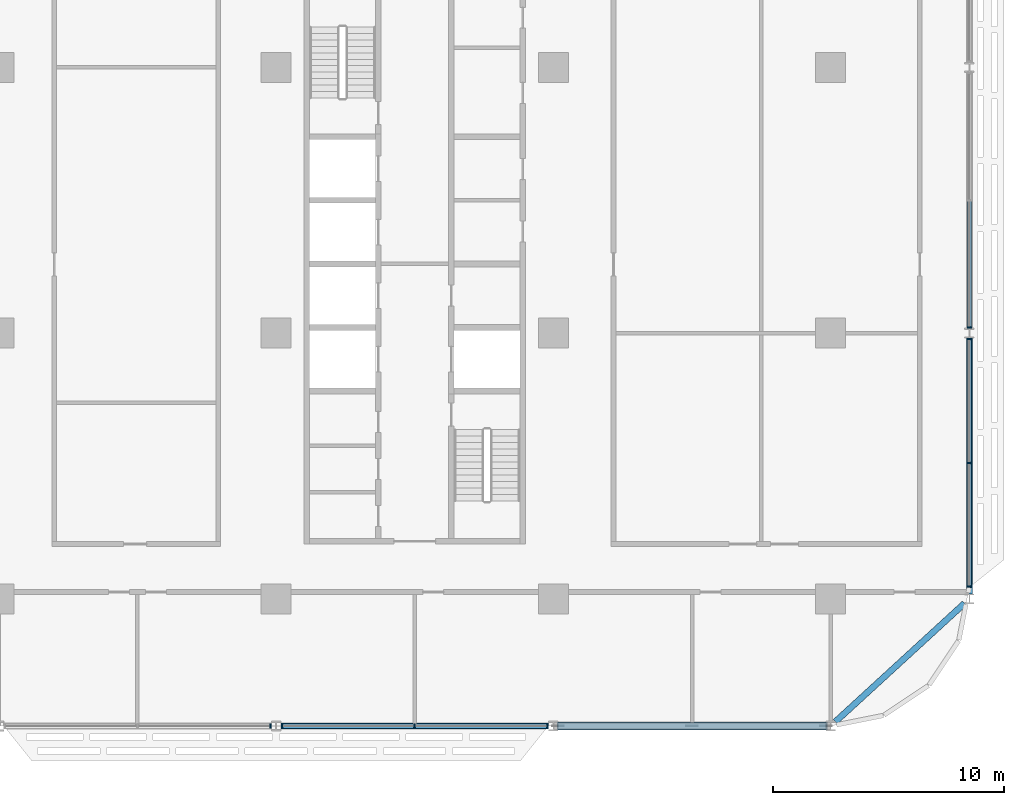
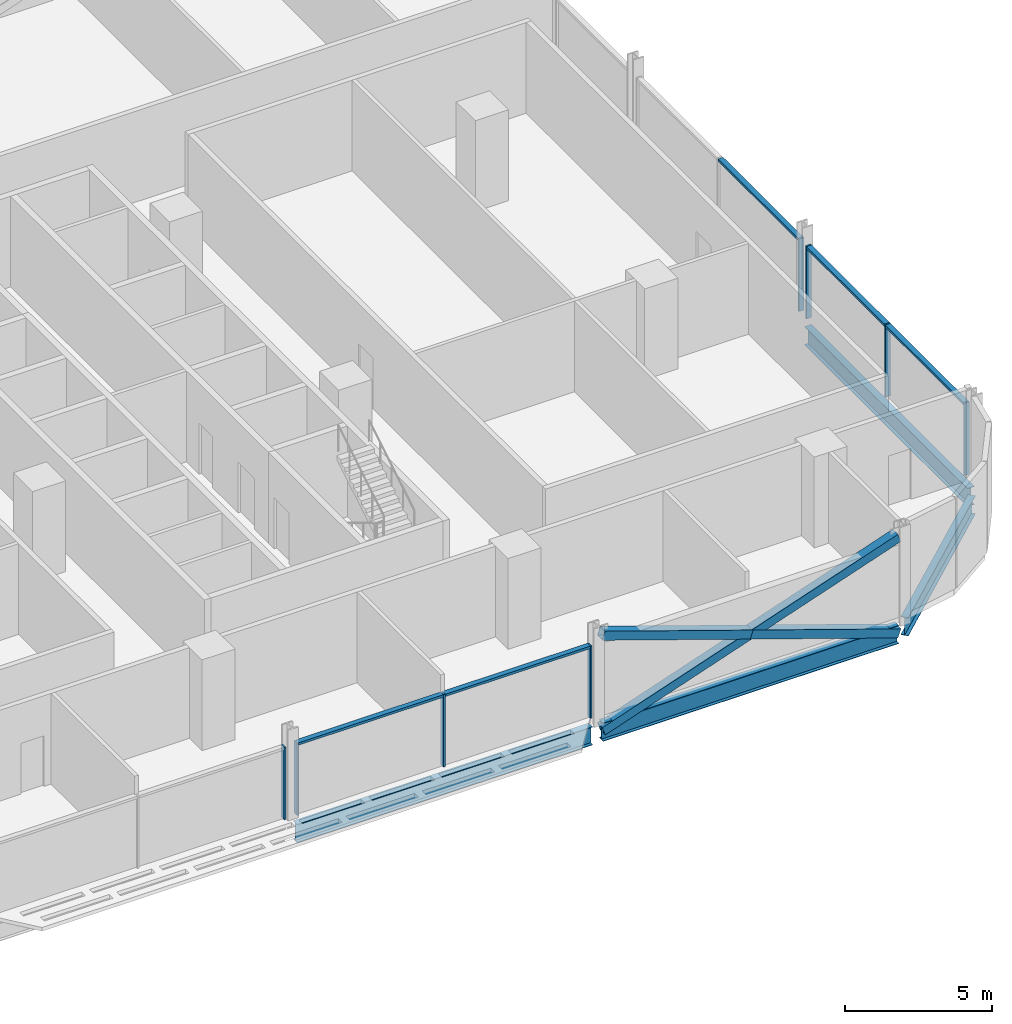
# One storey, part 8 of 29: 16 members, 4 beams, 4 elements without a shape of their own.
"""IFC4 building model written with IfcOpenShell, lengths in metres."""

from ifc_helpers import new_model, si_unit, direction, frame, origin, origin_2d, place, context, subcontext, project, spatial, rectangle, hollow_rectangle, i_section, extrude, material, material_profile, profile_set, type_object, element, aggregate, save


model = new_model("IFC4")

# Units and contexts
model_context = context("Model", 3, precision=1e-05, world=origin(), true_north=direction((0.0, 1.0)))
body_context = subcontext(model_context, "Body", "Model", "MODEL_VIEW")
ifc_project = project(units=[si_unit("LENGTHUNIT", "METRE"), si_unit("AREAUNIT", "SQUARE_METRE"), si_unit("VOLUMEUNIT", "CUBIC_METRE"), si_unit("PLANEANGLEUNIT", "RADIAN"), si_unit("MASSUNIT", "GRAM", prefix="KILO")], contexts=[model_context])

# Site, building, storey
site_placement = place(None, origin())
site = spatial("IfcSite", under=ifc_project, at=site_placement, CompositionType="ELEMENT")
building_placement = place(site_placement, origin())
building = spatial("IfcBuilding", under=site, at=building_placement, Name="Mahtab Terrace Research Tower", CompositionType="ELEMENT")
storey_placement = place(building_placement, frame((0.0, 0.0, 126.10009765625)))
storey = spatial("IfcBuildingStorey", under=building, at=storey_placement, Name="L29", CompositionType="ELEMENT", Elevation=126.10009765625)

# Members
ifc_material_1 = material(Name="Steel ASTM A500 Gr C", Category="steel")
ifc_material_profile_1 = material_profile(ifc_material_1, hollow_rectangle(XDim=0.355712890625, YDim=0.355712890625, WallThickness=0.01904296875, at=origin_2d()), Name="HSS14X14X3/4")
ifc_profile_set_1 = profile_set([ifc_material_profile_1], Name="Steel ASTM A500 Gr C")
member_type_1 = type_object("IfcMemberType", Name="HSS 14x14x3/4 brace XB141434", PredefinedType="BRACE", material=ifc_profile_set_1)
member_1_placement = place(storey_placement, frame((30.205810546875, -17.0, -0.648193359375), z_axis=(0.946294377485, 0.0, 0.323306280699), x_axis=(0.0, 1.0, 0.0)))
element("IfcMember", 1, at=member_1_placement, inside=storey, type_object=member_type_1, Name="Exoskeleton brace L29 20 a", PredefinedType="BRACE", context=body_context, shape_type="SweptSolid", body=[
    extrude(hollow_rectangle(XDim=0.355712890625, YDim=0.355712890625, WallThickness=0.01904296875, at=origin_2d()), origin(), (0.0, 0.0, 1.0), 12.24609375),
])
for number, where, z_axis, x_axis, name in (
    (2, (41.794189453125, -17.0, -0.648193359375), (-0.946288278, 0.0, 0.323324132908), (0.0, -1.0, 0.0), "Exoskeleton brace L29 20 b1"),
    (3, (36.0, -17.0, 1.33154296875), (-0.946300476713, 0.0, 0.323288428146), (0.0, -1.0, 0.0), "Exoskeleton brace L29 20 b2"),
):
    element("IfcMember", number, at=place(storey_placement, frame(where, z_axis=z_axis, x_axis=x_axis)), inside=storey, type_object=member_type_1, Name=name, PredefinedType="BRACE", context=body_context, shape_type="SweptSolid", body=[
        extrude(hollow_rectangle(XDim=0.355712890625, YDim=0.355712890625, WallThickness=0.01904296875, at=origin_2d()), origin(), (0.0, 0.0, 1.0), 6.123046875),
    ])

# Curtain wall, member
ifc_material_2 = material(Name="Laboratory ribbon curtain wall")
curtain_wall_type = type_object("IfcCurtainWallType", Name="Laboratory ribbon curtain wall", PredefinedType="NOTDEFINED", material=ifc_material_2)
curtain_wall_1_placement = place(storey_placement, origin())
curtain_wall_1 = element("IfcCurtainWall", 4, at=curtain_wall_1_placement, inside=storey, type_object=curtain_wall_type, Name="EN.L29.13.28", PredefinedType="NOTDEFINED")
ifc_material_3 = material(Name="Natural anodised aluminium", Category="aluminium")
ifc_material_profile_2 = material_profile(ifc_material_3, rectangle(XDim=0.199951171875, YDim=0.06494140625, at=origin_2d()), Name="MULLION 65x200")
ifc_profile_set_2 = profile_set([ifc_material_profile_2], Name="Natural anodised aluminium")
member_type_2 = type_object("IfcMemberType", Name="Laboratory ribbon curtain wall mullion", PredefinedType="MULLION", material=ifc_profile_set_2)
member_2_placement = place(storey_placement, frame((17.74951171875, -17.0, 0.0), z_axis=(0.0, 0.0, 1.0), x_axis=(0.0, 1.0, 0.0)))
member_2 = element("IfcMember", 5, at=member_2_placement, type_object=member_type_2, Name="CWL-4 mullion 3", PredefinedType="MULLION", context=body_context, shape_type="SweptSolid", body=[
    extrude(rectangle(XDim=0.199951171875, YDim=0.06494140625, at=origin_2d()), origin(), (0.0, 0.0, 1.0), 3.0029296875),
])
aggregate(curtain_wall_1, [member_2])

# Curtain wall, members
curtain_wall_2_placement = place(storey_placement, origin())
curtain_wall_2 = element("IfcCurtainWall", 6, at=curtain_wall_2_placement, inside=storey, type_object=curtain_wall_type, Name="EN.L29.13.29", PredefinedType="NOTDEFINED")
member_3_placement = place(storey_placement, frame((18.25048828125, -17.0, 0.0), z_axis=(0.0, 0.0, 1.0), x_axis=(0.0, 1.0, 0.0)))
member_3 = element("IfcMember", 7, at=member_3_placement, type_object=member_type_2, Name="CWL-4 mullion 1", PredefinedType="MULLION", context=body_context, shape_type="SweptSolid", body=[
    extrude(rectangle(XDim=0.199951171875, YDim=0.06494140625, at=origin_2d()), origin(), (0.0, 0.0, 1.0), 3.0029296875),
])
member_4_placement = place(storey_placement, frame((24.0, -17.0, 0.0), z_axis=(0.0, 0.0, 1.0), x_axis=(0.0, 1.0, 0.0)))
member_4 = element("IfcMember", 8, at=member_4_placement, type_object=member_type_2, Name="CWL-4 mullion 2", PredefinedType="MULLION", context=body_context, shape_type="SweptSolid", body=[
    extrude(rectangle(XDim=0.199951171875, YDim=0.06494140625, at=origin_2d()), origin(), (0.0, 0.0, 1.0), 3.0029296875),
])
member_5_placement = place(storey_placement, frame((29.74951171875, -17.0, 0.0), z_axis=(0.0, 0.0, 1.0), x_axis=(0.0, 1.0, 0.0)))
member_5 = element("IfcMember", 9, at=member_5_placement, type_object=member_type_2, Name="CWL-4 mullion 3", PredefinedType="MULLION", context=body_context, shape_type="SweptSolid", body=[
    extrude(rectangle(XDim=0.199951171875, YDim=0.06494140625, at=origin_2d()), origin(), (0.0, 0.0, 1.0), 3.0029296875),
])

curtain_wall_3_placement = place(storey_placement, origin())
curtain_wall_3 = element("IfcCurtainWall", 10, at=curtain_wall_3_placement, inside=storey, type_object=curtain_wall_type, Name="EN.L29.18.36", PredefinedType="NOTDEFINED")
member_6_placement = place(storey_placement, frame((48.0, -10.967529296875, 0.0), z_axis=(0.0, 0.0, 1.0), x_axis=(-1.0, 0.0, 0.0)))
member_6 = element("IfcMember", 11, at=member_6_placement, type_object=member_type_2, Name="CWL-4 mullion 1", PredefinedType="MULLION", context=body_context, shape_type="SweptSolid", body=[
    extrude(rectangle(XDim=0.199951171875, YDim=0.06494140625, at=origin_2d()), origin(), (0.0, 0.0, 1.0), 3.0029296875),
])
member_7_placement = place(storey_placement, frame((48.0, -5.60888671875, 0.0), z_axis=(0.0, 0.0, 1.0), x_axis=(-1.0, 0.0, 0.0)))
member_7 = element("IfcMember", 12, at=member_7_placement, type_object=member_type_2, Name="CWL-4 mullion 2", PredefinedType="MULLION", context=body_context, shape_type="SweptSolid", body=[
    extrude(rectangle(XDim=0.199951171875, YDim=0.06494140625, at=origin_2d()), origin(), (0.0, 0.0, 1.0), 3.0029296875),
])
member_8_placement = place(storey_placement, frame((48.0, -0.25048828125, 0.0), z_axis=(0.0, 0.0, 1.0), x_axis=(-1.0, 0.0, 0.0)))
member_8 = element("IfcMember", 13, at=member_8_placement, type_object=member_type_2, Name="CWL-4 mullion 3", PredefinedType="MULLION", context=body_context, shape_type="SweptSolid", body=[
    extrude(rectangle(XDim=0.199951171875, YDim=0.06494140625, at=origin_2d()), origin(), (0.0, 0.0, 1.0), 3.0029296875),
])

# Curtain wall, member
curtain_wall_4_placement = place(storey_placement, origin())
curtain_wall_4 = element("IfcCurtainWall", 14, at=curtain_wall_4_placement, inside=storey, type_object=curtain_wall_type, Name="EN.L29.18.37", PredefinedType="NOTDEFINED")
member_9_placement = place(storey_placement, frame((48.0, 0.25048828125, 0.0), z_axis=(0.0, 0.0, 1.0), x_axis=(-1.0, 0.0, 0.0)))
member_9 = element("IfcMember", 15, at=member_9_placement, type_object=member_type_2, Name="CWL-4 mullion 1", PredefinedType="MULLION", context=body_context, shape_type="SweptSolid", body=[
    extrude(rectangle(XDim=0.199951171875, YDim=0.06494140625, at=origin_2d()), origin(), (0.0, 0.0, 1.0), 3.0029296875),
])

# Member
ifc_material_profile_3 = material_profile(ifc_material_3, rectangle(XDim=0.199951171875, YDim=0.10009765625, at=origin_2d()), Name="TRANSOM 100x200")
ifc_profile_set_3 = profile_set([ifc_material_profile_3], Name="Natural anodised aluminium")
member_type_3 = type_object("IfcMemberType", Name="Laboratory ribbon curtain wall transom", PredefinedType="USERDEFINED", material=ifc_profile_set_3)
member_10_placement = place(storey_placement, frame((18.282958984375, -17.0, 2.952880859375), z_axis=(1.0, 0.0, 0.0), x_axis=(0.0, 1.0, 0.0)))
member_10 = element("IfcMember", 16, at=member_10_placement, type_object=member_type_3, Name="CWL-4 transom 1", ObjectType="TRANSOM", PredefinedType="USERDEFINED", context=body_context, shape_type="SweptSolid", body=[
    extrude(rectangle(XDim=0.199951171875, YDim=0.10009765625, at=origin_2d()), origin(), (0.0, 0.0, 1.0), 5.6845703125),
])

member_11_placement = place(storey_placement, frame((24.032470703125, -17.0, 2.952880859375), z_axis=(1.0, 0.0, 0.0), x_axis=(0.0, 1.0, 0.0)))
member_11 = element("IfcMember", 17, at=member_11_placement, type_object=member_type_3, Name="CWL-4 transom 2", ObjectType="TRANSOM", PredefinedType="USERDEFINED", context=body_context, shape_type="SweptSolid", body=[
    extrude(rectangle(XDim=0.199951171875, YDim=0.10009765625, at=origin_2d()), origin(), (0.0, 0.0, 1.0), 5.6845703125),
])

aggregate(curtain_wall_2, [member_3, member_4, member_5, member_10, member_11])

member_12_placement = place(storey_placement, frame((48.0, -10.93505859375, 2.952880859375), z_axis=(0.0, 1.0, 0.0), x_axis=(-1.0, 0.0, 0.0)))
member_12 = element("IfcMember", 18, at=member_12_placement, type_object=member_type_3, Name="CWL-4 transom 1", ObjectType="TRANSOM", PredefinedType="USERDEFINED", context=body_context, shape_type="SweptSolid", body=[
    extrude(rectangle(XDim=0.199951171875, YDim=0.10009765625, at=origin_2d()), origin(), (0.0, 0.0, 1.0), 5.29345703125),
])

member_13_placement = place(storey_placement, frame((48.0, -5.576416015625, 2.952880859375), z_axis=(0.0, 1.0, 0.0), x_axis=(-1.0, 0.0, 0.0)))
member_13 = element("IfcMember", 19, at=member_13_placement, type_object=member_type_3, Name="CWL-4 transom 2", ObjectType="TRANSOM", PredefinedType="USERDEFINED", context=body_context, shape_type="SweptSolid", body=[
    extrude(rectangle(XDim=0.199951171875, YDim=0.10009765625, at=origin_2d()), origin(), (0.0, 0.0, 1.0), 5.29345703125),
])

aggregate(curtain_wall_3, [member_6, member_7, member_8, member_12, member_13])

member_14_placement = place(storey_placement, frame((48.0, 0.282958984375, 2.952880859375), z_axis=(0.0, 1.0, 0.0), x_axis=(-1.0, 0.0, 0.0)))
member_14 = element("IfcMember", 20, at=member_14_placement, type_object=member_type_3, Name="CWL-4 transom 1", ObjectType="TRANSOM", PredefinedType="USERDEFINED", context=body_context, shape_type="SweptSolid", body=[
    extrude(rectangle(XDim=0.199951171875, YDim=0.10009765625, at=origin_2d()), origin(), (0.0, 0.0, 1.0), 5.4345703125),
])

aggregate(curtain_wall_4, [member_9, member_14])

# Beams
ifc_material_4 = material(Name="Steel ASTM A992 Gr 50", Category="steel")
ifc_material_profile_4 = material_profile(ifc_material_4, i_section(OverallWidth=0.2666015625, OverallDepth=0.7568359375, WebThickness=0.013916015625, FlangeThickness=0.019287109375, at=origin_2d()), Name="W30X108")
ifc_profile_set_4 = profile_set([ifc_material_profile_4], Name="Steel ASTM A992 Gr 50")
beam_type = type_object("IfcBeamType", Name="W30x108 beam BS30108", PredefinedType="BEAM", material=ifc_profile_set_4)
for number, where, z_axis, x_axis, name in (
    (21, (18.205810546875, -17.0, -0.718505859375), (1.0, 0.0, 0.0), (0.0, 1.0, 0.0), "Spandrel beam L29 19"),
    (22, (30.205810546875, -17.0, -0.718505859375), (1.0, 0.0, 0.0), (0.0, 1.0, 0.0), "Spandrel beam L29 20"),
):
    element("IfcBeam", number, at=place(storey_placement, frame(where, z_axis=z_axis, x_axis=x_axis)), inside=storey, type_object=beam_type, Name=name, PredefinedType="BEAM", context=body_context, shape_type="SweptSolid", body=[
        extrude(i_section(OverallWidth=0.2666015625, OverallDepth=0.7568359375, WebThickness=0.013916015625, FlangeThickness=0.019287109375, at=origin_2d()), origin(), (0.0, 0.0, 1.0), 11.58837890625),
    ])
beam_1_placement = place(storey_placement, frame((42.205810546875, -16.811279296875, -0.718505859375), z_axis=(0.737162160905, 0.675715878554, 0.0), x_axis=(-0.675715878554, 0.737162160905, 0.0)))
element("IfcBeam", 23, at=beam_1_placement, inside=storey, type_object=beam_type, Name="Spandrel beam L29 21", PredefinedType="BEAM", context=body_context, shape_type="SweptSolid", body=[
    extrude(i_section(OverallWidth=0.2666015625, OverallDepth=0.7568359375, WebThickness=0.013916015625, FlangeThickness=0.019287109375, at=origin_2d()), origin(), (0.0, 0.0, 1.0), 7.5810546875),
])
beam_2_placement = place(storey_placement, frame((48.0, -11.282958984375, -0.718505859375), z_axis=(0.0, 1.0, 0.0), x_axis=(-1.0, 0.0, 0.0)))
element("IfcBeam", 24, at=beam_2_placement, inside=storey, type_object=beam_type, Name="Spandrel beam L29 22", PredefinedType="BEAM", context=body_context, shape_type="SweptSolid", body=[
    extrude(i_section(OverallWidth=0.2666015625, OverallDepth=0.7568359375, WebThickness=0.013916015625, FlangeThickness=0.019287109375, at=origin_2d()), origin(), (0.0, 0.0, 1.0), 11.06591796875),
])

save(model, "model.ifc")
